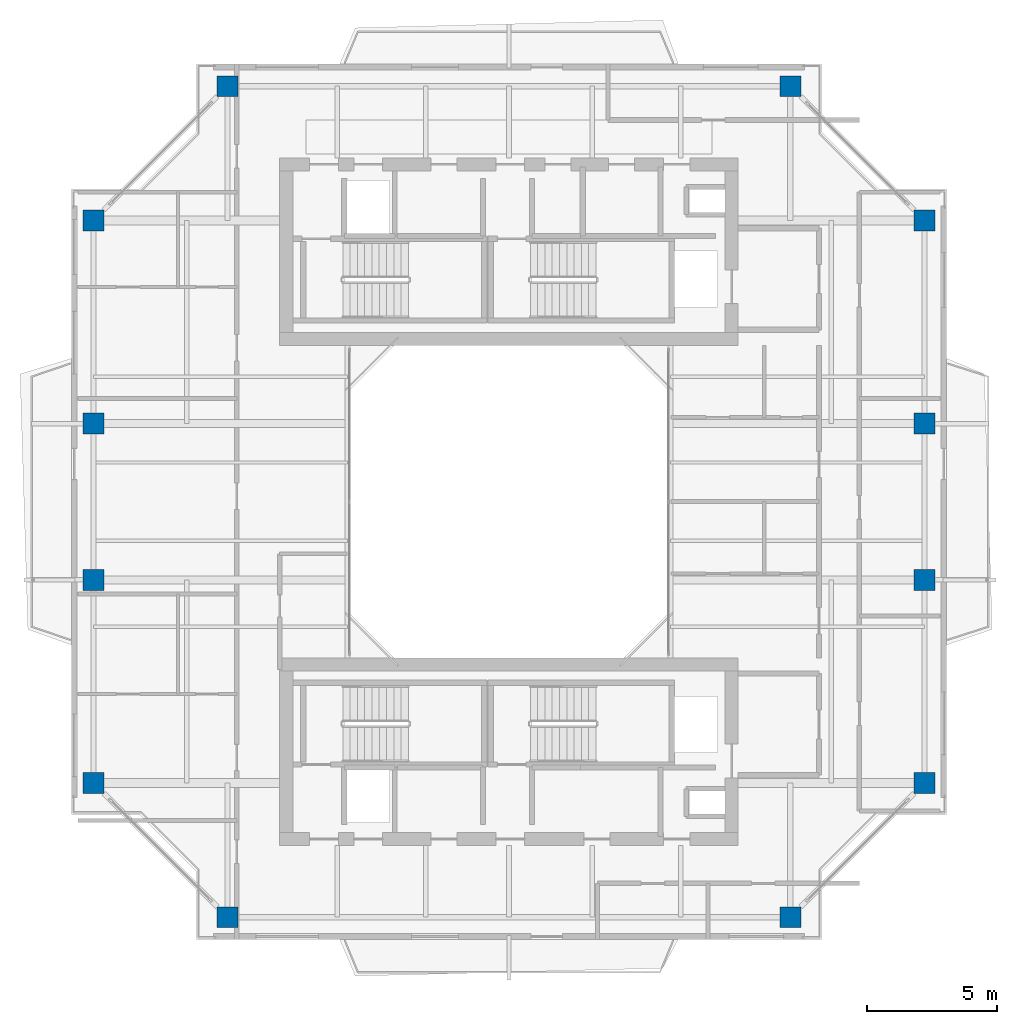
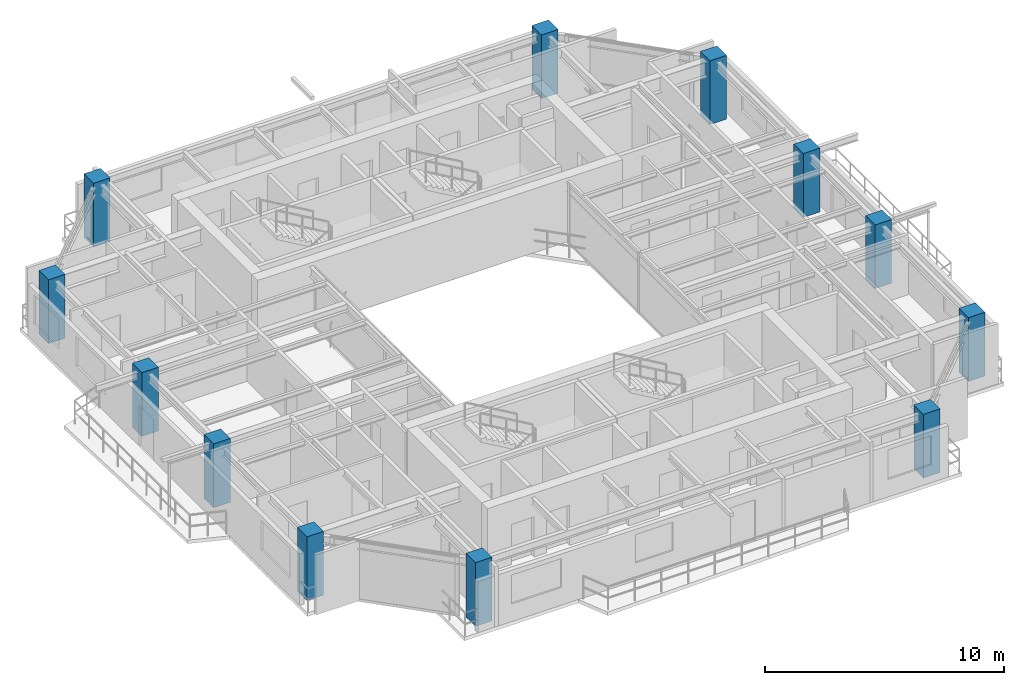
# One storey, part 1 of 15: 12 columns.
"""IFC4 building model written with IfcOpenShell, lengths in metres."""

import ifcopenshell
import ifcopenshell.guid

model = None  # the IFC model being written
_history = None  # IfcOwnerHistory: only IFC2X3 demands one
_inside = {}  # id of a spatial element -> (the spatial element, [elements in it])
_under = {}  # id of a project, library or spatial element -> (it, [spatial elements below it])
_declared = {}  # id of a project -> (the project, [libraries it declares])
_typed = {}  # id of a type object -> (the type object, [elements of that type])
_made_of = {}  # id of a material, layer set ... -> (it, [elements and type objects made of it])


def new_model(schema):
    """Start an empty IFC model of exactly this schema.

    Asked for "IFC4X3", IfcOpenShell would pick the latest addendum, in which some entities
    have other attributes; the version numbers below select the first issue.
    IFC2X3 requires an IfcOwnerHistory on every rooted entity: one is made here for all.
    """
    global model, _history
    if schema == "IFC4X3":
        model = ifcopenshell.file(schema_version=(4, 3, 0, 0))
    else:
        model = ifcopenshell.file(schema=schema)
    _inside.clear()
    _under.clear()
    _declared.clear()
    _typed.clear()
    _made_of.clear()
    _history = None
    if model.schema == "IFC2X3":
        org = make("IfcOrganization", Name="unknown")
        user = make(
            "IfcPersonAndOrganization",
            ThePerson=make("IfcPerson", FamilyName="unknown"),
            TheOrganization=org,
        )
        app = make(
            "IfcApplication",
            ApplicationDeveloper=org,
            Version="unknown",
            ApplicationFullName="unknown",
            ApplicationIdentifier="unknown",
        )
        _history = make(
            "IfcOwnerHistory",
            OwningUser=user,
            OwningApplication=app,
            ChangeAction="ADDED",
            CreationDate=0,
        )
    return model


def make(cls, **values):
    """One entity of the class cls with the attributes given. An attribute that is None is left unset."""
    return model.create_entity(
        cls, **{name: value for name, value in values.items() if value is not None}
    )


def rooted(cls, **values):
    """An entity with a GlobalId (a new one), such as an element, a storey or a relation."""
    return make(cls, GlobalId=ifcopenshell.guid.new(), OwnerHistory=_history, **values)


def si_unit(unit_type, name, prefix=None):
    """IfcSIUnit, for example si_unit("LENGTHUNIT", "METRE", prefix="MILLI")."""
    return make("IfcSIUnit", UnitType=unit_type, Prefix=prefix, Name=name)


def assignment(units):
    """IfcUnitAssignment: the units of a project."""
    return None if units is None else make("IfcUnitAssignment", Units=units)


def point(xyz):
    """IfcCartesianPoint."""
    return None if xyz is None else make("IfcCartesianPoint", Coordinates=xyz)


def direction(xyz):
    """IfcDirection."""
    return None if xyz is None else make("IfcDirection", DirectionRatios=xyz)


def frame(location, z_axis=None, x_axis=None):
    """IfcAxis2Placement3D, a coordinate frame: its origin and axes. An axis left out is left unset."""
    return make(
        "IfcAxis2Placement3D",
        Location=point(location),
        Axis=direction(z_axis),
        RefDirection=direction(x_axis),
    )


def frame_2d(location, x_axis=None):
    """IfcAxis2Placement2D, a coordinate frame in the plane: its origin and x axis."""
    return make(
        "IfcAxis2Placement2D", Location=point(location), RefDirection=direction(x_axis)
    )


def origin():
    """The frame at (0, 0, 0) with its axes left unset."""
    return frame((0.0, 0.0, 0.0))


def origin_2d():
    """The frame at (0, 0) in the plane with its x axis left unset."""
    return frame_2d((0.0, 0.0))


def place(relative_to, where):
    """IfcLocalPlacement: puts the frame where relative to a parent placement (None: the world)."""
    return make(
        "IfcLocalPlacement", PlacementRelTo=relative_to, RelativePlacement=where
    )


def context(
    kind, dimensions, precision=None, world=None, true_north=None, identifier=None
):
    """IfcGeometricRepresentationContext, for example the 3D "Model" context."""
    return make(
        "IfcGeometricRepresentationContext",
        ContextIdentifier=identifier,
        ContextType=kind,
        CoordinateSpaceDimension=dimensions,
        Precision=precision,
        WorldCoordinateSystem=world,
        TrueNorth=true_north,
    )


def subcontext(parent, identifier, kind, view, scale=None):
    """IfcGeometricRepresentationSubContext, for example "Body" below "Model"."""
    return make(
        "IfcGeometricRepresentationSubContext",
        ContextIdentifier=identifier,
        ContextType=kind,
        ParentContext=parent,
        TargetScale=scale,
        TargetView=view,
    )


def project(units=None, contexts=None):
    """IfcProject with its units and contexts."""
    return rooted(
        "IfcProject",
        Name="project",
        RepresentationContexts=contexts,
        UnitsInContext=assignment(units),
    )


def spatial(cls, under=None, at=None, **own):
    """A site, building, storey or space (cls), placed at a placement, below another one or the project."""
    s = rooted(cls, ObjectPlacement=at, **own)
    if under is not None:
        _under.setdefault(under.id(), (under, []))[1].append(s)
    return s


def profile(cls, at=None, kind="AREA", **sizes):
    """A parametric profile (cls). Its sizes go by their IFC names, for example OverallWidth=200.0."""
    return make(cls, ProfileType=kind, Position=at, **sizes)


def rectangle(**sizes):
    """IfcRectangleProfileDef."""
    return profile("IfcRectangleProfileDef", **sizes)


def extrude(swept, where, along, depth):
    """IfcExtrudedAreaSolid: the profile swept, set in the frame where, extruded along a direction by depth."""
    return make(
        "IfcExtrudedAreaSolid",
        SweptArea=swept,
        Position=where,
        ExtrudedDirection=direction(along),
        Depth=depth,
    )


def shape(context_of_items, identifier, shape_type, items):
    """IfcShapeRepresentation: the items that make up one representation, for example the "Body"."""
    return make(
        "IfcShapeRepresentation",
        ContextOfItems=context_of_items,
        RepresentationIdentifier=identifier,
        RepresentationType=shape_type,
        Items=items,
    )


def source(mapping_origin, context_of_items, identifier, shape_type, items):
    """IfcRepresentationMap: a shape defined once, which mapped items show again and again."""
    return make(
        "IfcRepresentationMap",
        MappingOrigin=mapping_origin,
        MappedRepresentation=shape(context_of_items, identifier, shape_type, items),
    )


def transform(
    local_origin,
    x_axis=None,
    y_axis=None,
    z_axis=None,
    scale=None,
    scale2=None,
    scale3=None,
    uniform=True,
):
    """IfcCartesianTransformationOperator3D, or its non-uniform kind. x_axis, y_axis, z_axis: its Axis1, 2, 3."""
    if uniform:
        return make(
            "IfcCartesianTransformationOperator3D",
            Axis1=direction(x_axis),
            Axis2=direction(y_axis),
            LocalOrigin=point(local_origin),
            Scale=scale,
            Axis3=direction(z_axis),
        )
    return make(
        "IfcCartesianTransformationOperator3DnonUniform",
        Axis1=direction(x_axis),
        Axis2=direction(y_axis),
        LocalOrigin=point(local_origin),
        Scale=scale,
        Axis3=direction(z_axis),
        Scale2=scale2,
        Scale3=scale3,
    )


def mapped(mapping_source, mapping_target):
    """IfcMappedItem: shows the shape of a source again, moved by a transform."""
    return make(
        "IfcMappedItem", MappingSource=mapping_source, MappingTarget=mapping_target
    )


def material(Name=None, Category=None):
    """IfcMaterial."""
    return make("IfcMaterial", Name=Name, Category=Category)


def material_profile(
    of_material, cross_section, Name=None, Category=None, Priority=None
):
    """IfcMaterialProfile: a cross section and its material."""
    return make(
        "IfcMaterialProfile",
        Name=Name,
        Material=of_material,
        Profile=cross_section,
        Priority=Priority,
        Category=Category,
    )


def profile_set(profiles, Name=None, composite=None):
    """IfcMaterialProfileSet."""
    return make(
        "IfcMaterialProfileSet",
        Name=Name,
        MaterialProfiles=profiles,
        CompositeProfile=composite,
    )


def made_of(thing, what):
    """Note that an element or type object is made of a material, layer set ...; save() writes the relation."""
    if what is not None:
        _made_of.setdefault(what.id(), (what, []))[1].append(thing)
    return thing


def type_object(cls, material=None, **own):
    """A type object (cls), such as IfcWallType, which elements share."""
    return made_of(rooted(cls, **own), material)


def element(
    cls,
    number,
    at=None,
    inside=None,
    cuts=None,
    type_object=None,
    material=None,
    context=None,
    identifier="Body",
    shape_type=None,
    held_by="IfcProductDefinitionShape",
    body=None,
    shapes=None,
    **own,
):
    """One element of the class cls, such as IfcWall. Its Tag is "e" and its number.

    at: its placement. inside: the storey or other place that contains it. cuts: it is an
    opening in that element (IfcRelVoidsElement). A single representation is given by context,
    identifier, shape_type and body (its items); several are given by shapes. held_by: the class
    of the entity that holds the representations. save() writes the other relations.
    """
    e = rooted(cls, Tag="e%d" % number, ObjectPlacement=at, **own)
    if body is not None:
        shapes = [shape(context, identifier, shape_type, body)]
    if shapes is not None:
        e.Representation = make(held_by, Representations=shapes)
    if inside is not None:
        _inside.setdefault(inside.id(), (inside, []))[1].append(e)
    if cuts is not None:
        rooted(
            "IfcRelVoidsElement", RelatingBuildingElement=cuts, RelatedOpeningElement=e
        )
    if type_object is not None:
        _typed.setdefault(type_object.id(), (type_object, []))[1].append(e)
    return made_of(e, material)


def aggregate(whole, parts):
    """IfcRelAggregates: a whole, such as a stair, and the parts it consists of."""
    return rooted("IfcRelAggregates", RelatingObject=whole, RelatedObjects=parts)


def save(model, path):
    """Write the relations noted so far, then the file.

    IfcRelAggregates (storeys below a building ...), IfcRelContainedInSpatialStructure (elements
    in a storey), IfcRelDefinesByType, IfcRelAssociatesMaterial and IfcRelDeclares: one each for
    every whole, place, type object, material and project.
    """
    for whole, parts in _under.values():
        aggregate(whole, parts)
    for where, things in _inside.values():
        rooted(
            "IfcRelContainedInSpatialStructure",
            RelatedElements=things,
            RelatingStructure=where,
        )
    for kind, things in _typed.values():
        rooted("IfcRelDefinesByType", RelatedObjects=things, RelatingType=kind)
    for what, things in _made_of.values():
        rooted("IfcRelAssociatesMaterial", RelatedObjects=things, RelatingMaterial=what)
    for by, libraries in _declared.values():
        rooted("IfcRelDeclares", RelatingContext=by, RelatedDefinitions=libraries)
    model.write(path)


model = new_model("IFC4")

# Units and contexts
model_context = context("Model", 3, precision=1e-05, world=origin(), true_north=direction((0.0, 1.0)))
body_context = subcontext(model_context, "Body", "Model", "MODEL_VIEW")
ifc_project = project(units=[si_unit("LENGTHUNIT", "METRE"), si_unit("AREAUNIT", "SQUARE_METRE"), si_unit("VOLUMEUNIT", "CUBIC_METRE"), si_unit("PLANEANGLEUNIT", "RADIAN"), si_unit("MASSUNIT", "GRAM", prefix="KILO"), si_unit("THERMODYNAMICTEMPERATUREUNIT", "KELVIN"), si_unit("POWERUNIT", "WATT")], contexts=[model_context])

# Site, building, storey
site_placement = place(None, origin())
site = spatial("IfcSite", under=ifc_project, at=site_placement, CompositionType="ELEMENT")
building_placement = place(site_placement, origin())
building = spatial("IfcBuilding", under=site, at=building_placement, Name="Qiaomeng Ring Towers", CompositionType="ELEMENT")
storey_placement = place(building_placement, frame((0.0, 0.0, 206.75)))
storey = spatial("IfcBuildingStorey", under=building, at=storey_placement, Name="L60", CompositionType="ELEMENT", Elevation=206.75)

# Columns
ifc_material = material(Name="Concrete C40", Category="concrete")
ifc_material_profile = material_profile(ifc_material, rectangle(XDim=0.800048828125, YDim=0.800048828125, at=origin_2d()), Name="RC COL 800x800")
ifc_profile_set = profile_set([ifc_material_profile], Name="Concrete C40")
column_type = type_object("IfcColumnType", Name="STR-COL-800-C40", PredefinedType="COLUMN", material=ifc_profile_set)
shared_shape = source(origin(), body_context, "Body", "SweptSolid", [
    extrude(rectangle(XDim=0.800048828125, YDim=0.800048828125, at=origin_2d()), origin(), (0.0, 0.0, 1.0), 3.25),
])
for number, where, z_axis, x_axis, name in (
    (1, (8.199951171875, 7.050048828125, 0.0), (0.0, 0.0, 1.0), (1.0, 0.0, 0.0), "L60 column STR-COL-L60-T1-S1"),
    (2, (29.800048828125, 7.050048828125, 0.0), (0.0, 0.0, 1.0), (1.0, 0.0, 0.0), "L60 column STR-COL-L60-T1-S2"),
    (3, (34.949951171875, 12.199951171875, 0.0), (0.0, 0.0, 1.0), (1.0, 0.0, 0.0), "L60 column STR-COL-L60-T1-E1"),
    (4, (34.949951171875, 20.0, 0.0), (0.0, 0.0, 1.0), (1.0, 0.0, 0.0), "L60 column STR-COL-L60-T1-E2"),
    (5, (34.949951171875, 26.0, 0.0), (0.0, 0.0, 1.0), (1.0, 0.0, 0.0), "L60 column STR-COL-L60-T1-E3"),
    (6, (34.949951171875, 33.800048828125, 0.0), (0.0, 0.0, 1.0), (1.0, 0.0, 0.0), "L60 column STR-COL-L60-T1-E4"),
    (7, (29.800048828125, 38.949951171875, 0.0), (0.0, 0.0, 1.0), (1.0, 0.0, 0.0), "L60 column STR-COL-L60-T1-N2"),
    (8, (8.199951171875, 38.949951171875, 0.0), (0.0, 0.0, 1.0), (1.0, 0.0, 0.0), "L60 column STR-COL-L60-T1-N1"),
    (9, (3.050048828125, 33.800048828125, 0.0), (0.0, 0.0, 1.0), (1.0, 0.0, 0.0), "L60 column STR-COL-L60-T1-W4"),
    (10, (3.050048828125, 26.0, 0.0), (0.0, 0.0, 1.0), (1.0, 0.0, 0.0), "L60 column STR-COL-L60-T1-W3"),
    (11, (3.050048828125, 20.0, 0.0), (0.0, 0.0, 1.0), (1.0, 0.0, 0.0), "L60 column STR-COL-L60-T1-W2"),
    (12, (3.050048828125, 12.199951171875, 0.0), (0.0, 0.0, 1.0), (1.0, 0.0, 0.0), "L60 column STR-COL-L60-T1-W1"),
):
    element("IfcColumn", number, at=place(storey_placement, frame(where, z_axis=z_axis, x_axis=x_axis)), inside=storey, type_object=column_type, Name=name, PredefinedType="COLUMN", context=body_context, shape_type="MappedRepresentation", body=[
        mapped(shared_shape, transform((0.0, 0.0, 0.0), x_axis=(1.0, 0.0, 0.0), y_axis=(0.0, 1.0, 0.0), z_axis=(0.0, 0.0, 1.0), scale=1.0)),
    ])

save(model, "model.ifc")
